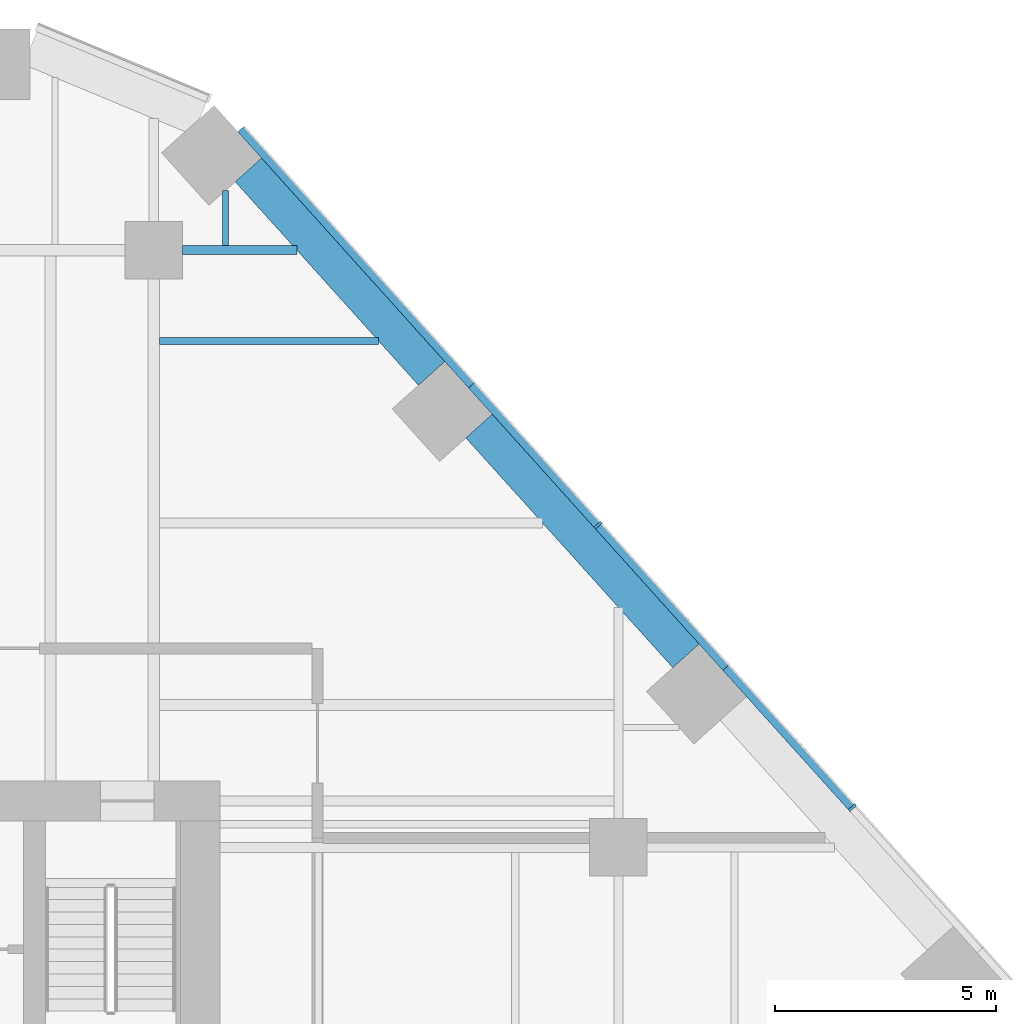
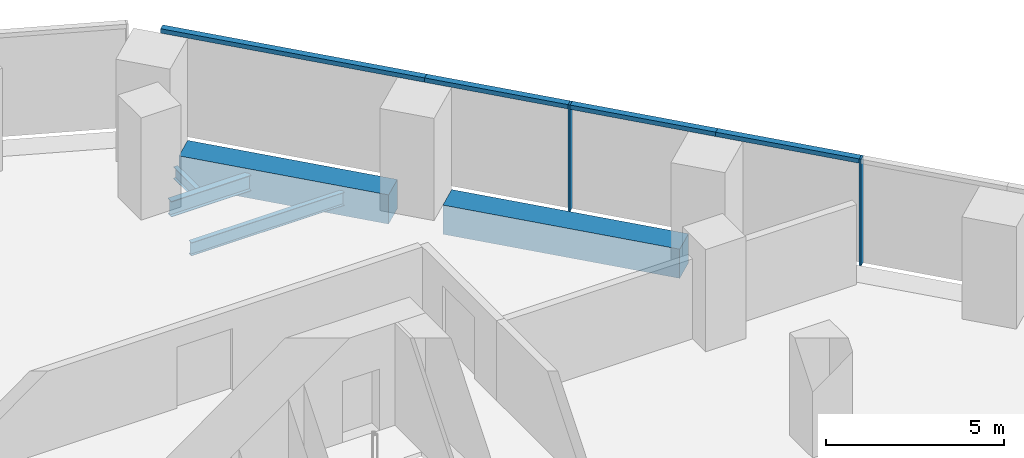
# One storey, part 10 of 19: 6 members, 5 beams, 1 element without a shape of its own.
"""IFC4 building model written with IfcOpenShell, lengths in metres."""

from ifc_helpers import new_model, si_unit, direction, frame, origin, origin_2d, place, context, subcontext, project, spatial, rectangle, i_section, extrude, material, layer, layer_set, material_profile, profile_set, type_object, element, aggregate, save


model = new_model("IFC4")

# Units and contexts
model_context = context("Model", 3, precision=1e-05, world=origin(), true_north=direction((0.0, 1.0)))
body_context = subcontext(model_context, "Body", "Model", "MODEL_VIEW")
ifc_project = project(units=[si_unit("LENGTHUNIT", "METRE"), si_unit("AREAUNIT", "SQUARE_METRE"), si_unit("VOLUMEUNIT", "CUBIC_METRE"), si_unit("PLANEANGLEUNIT", "RADIAN"), si_unit("MASSUNIT", "GRAM", prefix="KILO")], contexts=[model_context])

# Site, building, storey
site_placement = place(None, origin())
site = spatial("IfcSite", under=ifc_project, at=site_placement, CompositionType="ELEMENT")
building_placement = place(site_placement, origin())
building = spatial("IfcBuilding", under=site, at=building_placement, Name="Isthmus Gate Tower", CompositionType="ELEMENT")
storey_placement = place(building_placement, frame((0.0, 0.0, 95.25)))
storey = spatial("IfcBuildingStorey", under=building, at=storey_placement, Name="L22", CompositionType="ELEMENT", Elevation=95.25)

# Curtain wall, members
ifc_material_1 = material(Name="Aluminium, pale champagne anodised", Category="aluminium")
ifc_layer = layer(ifc_material_1, 0.199951171875)
ifc_layer_set = layer_set([ifc_layer], Name="CW-1 UNITISED CURTAIN WALL 200 DEEP")
curtain_wall_type = type_object("IfcCurtainWallType", Name="CW-1 UNITISED CURTAIN WALL 200 DEEP", PredefinedType="NOTDEFINED", material=ifc_layer_set)
curtain_wall_placement = place(storey_placement, origin())
curtain_wall = element("IfcCurtainWall", 1, at=curtain_wall_placement, inside=storey, type_object=curtain_wall_type, Name="CW-1 NE L22", PredefinedType="NOTDEFINED")
ifc_material_2 = material(Name="Aluminium, pale champagne anodised", Category="aluminium")
ifc_material_profile_1 = material_profile(ifc_material_2, rectangle(XDim=0.06005859375, YDim=0.199951171875, at=origin_2d()), Name="60x200")
ifc_profile_set_1 = profile_set([ifc_material_profile_1], Name="Aluminium, pale champagne anodised")
member_type_1 = type_object("IfcMemberType", Name="CW-1 MULLION 60 X 200", PredefinedType="MULLION", material=ifc_profile_set_1)
member_1_placement = place(storey_placement, frame((29.287841796875, 14.400146484375, 0.0), z_axis=(0.0, 0.0, 1.0), x_axis=(-0.669130606359, 0.743144825477, 0.0)))
member_1 = element("IfcMember", 2, at=member_1_placement, type_object=member_type_1, Name="CW-1 mullion", PredefinedType="MULLION", context=body_context, shape_type="SweptSolid", body=[
    extrude(rectangle(XDim=0.06005859375, YDim=0.199951171875, at=origin_2d()), origin(), (0.0, 0.0, 1.0), 3.64990234375),
])
member_2_placement = place(storey_placement, frame((23.54052734375, 20.783447265625, 0.0), z_axis=(0.0, 0.0, 1.0), x_axis=(-0.669130606359, 0.743144825477, 0.0)))
member_2 = element("IfcMember", 3, at=member_2_placement, type_object=member_type_1, Name="CW-1 mullion", PredefinedType="MULLION", context=body_context, shape_type="SweptSolid", body=[
    extrude(rectangle(XDim=0.06005859375, YDim=0.199951171875, at=origin_2d()), origin(), (0.0, 0.0, 1.0), 3.64990234375),
])
ifc_material_3 = material(Name="Aluminium, pale champagne anodised", Category="aluminium")
ifc_material_profile_2 = material_profile(ifc_material_3, rectangle(XDim=0.199951171875, YDim=0.14990234375, at=origin_2d()), Name="200x150")
ifc_profile_set_2 = profile_set([ifc_material_profile_2], Name="Aluminium, pale champagne anodised")
member_type_2 = type_object("IfcMemberType", Name="CW-1 TRANSOM 200 X 150", PredefinedType="USERDEFINED", material=ifc_profile_set_2)
member_3_placement = place(storey_placement, frame((29.267822265625, 14.422607421875, 3.574951171875), z_axis=(-0.669123979474, 0.743150792298, 0.0), x_axis=(-0.743150792298, -0.669123979474, 0.0)))
member_3 = element("IfcMember", 4, at=member_3_placement, type_object=member_type_2, Name="CW-1 transom", ObjectType="TRANSOM", PredefinedType="USERDEFINED", context=body_context, shape_type="SweptSolid", body=[
    extrude(rectangle(XDim=0.199951171875, YDim=0.14990234375, at=origin_2d()), origin(), (0.0, 0.0, 1.0), 4.234619140625),
])
member_4_placement = place(storey_placement, frame((26.434326171875, 17.569580078125, 3.574951171875), z_axis=(-0.669159437096, 0.743118865153, 0.0), x_axis=(-0.743118865153, -0.669159437096, 0.0)))
member_4 = element("IfcMember", 5, at=member_4_placement, type_object=member_type_2, Name="CW-1 transom", ObjectType="TRANSOM", PredefinedType="USERDEFINED", context=body_context, shape_type="SweptSolid", body=[
    extrude(rectangle(XDim=0.199951171875, YDim=0.14990234375, at=origin_2d()), origin(), (0.0, 0.0, 1.0), 4.294677734375),
])
member_5_placement = place(storey_placement, frame((23.520263671875, 20.8056640625, 3.574951171875), z_axis=(-0.669123979474, 0.743150792298, 0.0), x_axis=(-0.743150792298, -0.669123979474, 0.0)))
member_5 = element("IfcMember", 6, at=member_5_placement, type_object=member_type_2, Name="CW-1 transom", ObjectType="TRANSOM", PredefinedType="USERDEFINED", context=body_context, shape_type="SweptSolid", body=[
    extrude(rectangle(XDim=0.199951171875, YDim=0.14990234375, at=origin_2d()), origin(), (0.0, 0.0, 1.0), 4.234619140625),
])
member_6_placement = place(storey_placement, frame((20.686767578125, 23.95263671875, 3.574951171875), z_axis=(-0.669137878224, 0.743138277797, 0.0), x_axis=(-0.743138277797, -0.669137878224, 0.0)))
member_6 = element("IfcMember", 7, at=member_6_placement, type_object=member_type_2, Name="CW-1 transom", ObjectType="TRANSOM", PredefinedType="USERDEFINED", context=body_context, shape_type="SweptSolid", body=[
    extrude(rectangle(XDim=0.199951171875, YDim=0.14990234375, at=origin_2d()), origin(), (0.0, 0.0, 1.0), 7.789306640625),
])
aggregate(curtain_wall, [member_1, member_3, member_4, member_2, member_5, member_6])

# Beams
ifc_material_4 = material(Name="Concrete f'c 70 MPa", Category="concrete")
ifc_material_profile_3 = material_profile(ifc_material_4, rectangle(XDim=0.800048828125, YDim=1.0, at=origin_2d()), Name="RC 800X1000")
ifc_profile_set_3 = profile_set([ifc_material_profile_3], Name="Concrete f'c 70 MPa")
beam_type_1 = type_object("IfcBeamType", Name="RC SPANDREL 800 X 1000", PredefinedType="SPANDREL", material=ifc_profile_set_3)
beam_1_placement = place(storey_placement, frame((15.638427734375, 28.812255859375, -0.5), z_axis=(0.669139054219, -0.743137218903, 0.0), x_axis=(0.743137218903, 0.669139054219, 0.0)))
element("IfcBeam", 8, at=beam_1_placement, inside=storey, type_object=beam_type_1, Name="str-spandrel-L22-01", PredefinedType="SPANDREL", context=body_context, shape_type="SweptSolid", body=[
    extrude(rectangle(XDim=0.800048828125, YDim=1.0, at=origin_2d()), origin(), (0.0, 0.0, 1.0), 6.189453125),
])
beam_2_placement = place(storey_placement, frame((20.8505859375, 23.0234375, -0.5), z_axis=(0.669128753615, -0.743146493691, 0.0), x_axis=(0.743146493691, 0.669128753615, 0.0)))
element("IfcBeam", 9, at=beam_2_placement, inside=storey, type_object=beam_type_1, Name="str-spandrel-L22-02", PredefinedType="SPANDREL", context=body_context, shape_type="SweptSolid", body=[
    extrude(rectangle(XDim=0.800048828125, YDim=1.0, at=origin_2d()), origin(), (0.0, 0.0, 1.0), 6.9892578125),
])
ifc_material_5 = material(Name="Structural steel ASTM A992 Gr 50", Category="steel")
ifc_material_profile_4 = material_profile(ifc_material_5, i_section(OverallWidth=0.1396484375, OverallDepth=0.4033203125, WebThickness=0.00634765625, FlangeThickness=0.010986328125, at=origin_2d()), Name="W16X31")
ifc_profile_set_4 = profile_set([ifc_material_profile_4], Name="Structural steel ASTM A992 Gr 50")
beam_type_2 = type_object("IfcBeamType", Name="STEEL FLOOR BEAM W16X31", PredefinedType="JOIST", material=ifc_profile_set_4)
beam_3_placement = place(storey_placement, frame((15.12109375, 27.104736328125, -0.3515625), z_axis=(0.0, 1.0, 0.0), x_axis=(-1.0, 0.0, 0.0)))
element("IfcBeam", 10, at=beam_3_placement, inside=storey, type_object=beam_type_2, Name="str-beam-L22-25-00", PredefinedType="JOIST", context=body_context, shape_type="SweptSolid", body=[
    extrude(i_section(OverallWidth=0.1396484375, OverallDepth=0.4033203125, WebThickness=0.00634765625, FlangeThickness=0.010986328125, at=origin_2d()), origin(), (0.0, 0.0, 1.0), 1.24169921875),
])
ifc_material_6 = material(Name="Structural steel ASTM A992 Gr 50", Category="steel")
ifc_material_profile_5 = material_profile(ifc_material_6, i_section(OverallWidth=0.15234375, OverallDepth=0.45068359375, WebThickness=0.0078125, FlangeThickness=0.010986328125, at=origin_2d()), Name="W18X35")
ifc_profile_set_5 = profile_set([ifc_material_profile_5], Name="Structural steel ASTM A992 Gr 50")
beam_type_3 = type_object("IfcBeamType", Name="STEEL FLOOR BEAM W18X35", PredefinedType="JOIST", material=ifc_profile_set_5)
beam_4_placement = place(storey_placement, frame((13.626953125, 24.944091796875, -0.37548828125), z_axis=(1.0, 0.0, 0.0), x_axis=(0.0, 1.0, 0.0)))
element("IfcBeam", 11, at=beam_4_placement, inside=storey, type_object=beam_type_3, Name="str-beam-L22-26-02", PredefinedType="JOIST", context=body_context, shape_type="SweptSolid", body=[
    extrude(i_section(OverallWidth=0.15234375, OverallDepth=0.45068359375, WebThickness=0.0078125, FlangeThickness=0.010986328125, at=origin_2d()), origin(), (0.0, 0.0, 1.0), 4.9560546875),
])
ifc_material_7 = material(Name="Structural steel ASTM A992 Gr 50", Category="steel")
ifc_material_profile_6 = material_profile(ifc_material_7, i_section(OverallWidth=0.20947265625, OverallDepth=0.533447265625, WebThickness=0.009521484375, FlangeThickness=0.015869140625, at=origin_2d()), Name="W21X62")
ifc_profile_set_6 = profile_set([ifc_material_profile_6], Name="Structural steel ASTM A992 Gr 50")
beam_type_4 = type_object("IfcBeamType", Name="STEEL GIRDER W21X62", PredefinedType="BEAM", material=ifc_profile_set_6)
beam_5_placement = place(storey_placement, frame((14.14990234375, 27.0, -0.416748046875), z_axis=(1.0, 0.0, 0.0), x_axis=(0.0, 1.0, 0.0)))
element("IfcBeam", 12, at=beam_5_placement, inside=storey, type_object=beam_type_4, Name="str-girder-L22-20", PredefinedType="BEAM", context=body_context, shape_type="SweptSolid", body=[
    extrude(i_section(OverallWidth=0.20947265625, OverallDepth=0.533447265625, WebThickness=0.009521484375, FlangeThickness=0.015869140625, at=origin_2d()), origin(), (0.0, 0.0, 1.0), 2.58203125),
])

save(model, "model.ifc")
